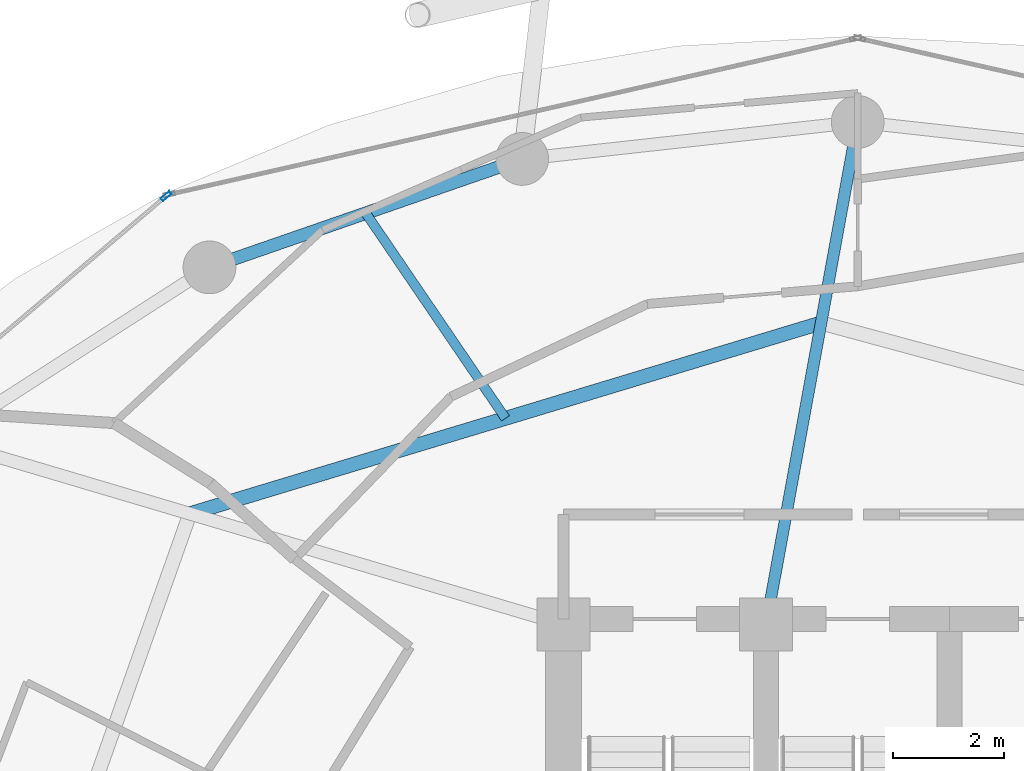
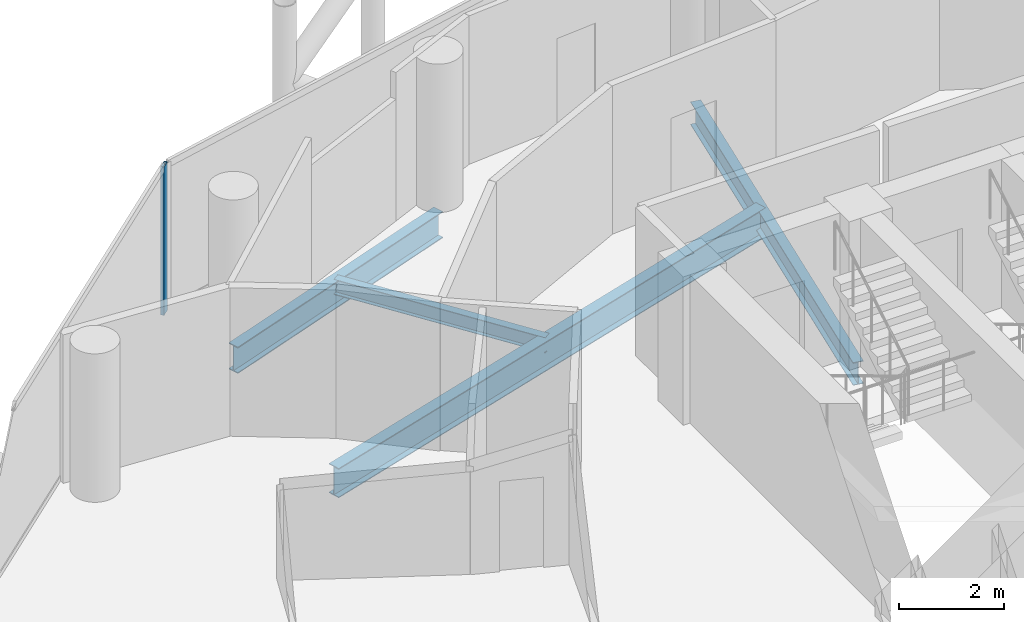
# One storey, part 15 of 26: 4 beams, 1 member, 1 element without a shape of its own.
"""IFC4 building model written with IfcOpenShell, lengths in metres."""

from ifc_helpers import new_model, si_unit, direction, frame, origin, origin_2d, place, context, subcontext, project, spatial, hollow_rectangle, i_section, extrude, material, layer, layer_set, material_profile, profile_set, type_object, element, aggregate, save


model = new_model("IFC4")

# Units and contexts
model_context = context("Model", 3, precision=1e-05, world=origin(), true_north=direction((0.0, 1.0)))
body_context = subcontext(model_context, "Body", "Model", "MODEL_VIEW")
ifc_project = project(units=[si_unit("LENGTHUNIT", "METRE"), si_unit("AREAUNIT", "SQUARE_METRE"), si_unit("VOLUMEUNIT", "CUBIC_METRE"), si_unit("PLANEANGLEUNIT", "RADIAN"), si_unit("MASSUNIT", "GRAM", prefix="KILO")], contexts=[model_context])

# Site, building, storey
site_placement = place(None, origin())
site = spatial("IfcSite", under=ifc_project, at=site_placement, CompositionType="ELEMENT")
building_placement = place(site_placement, origin())
building = spatial("IfcBuilding", under=site, at=building_placement, Name="Nuhasar Tower", CompositionType="ELEMENT")
storey_placement = place(building_placement, frame((0.0, 0.0, 166.35009765625)))
storey = spatial("IfcBuildingStorey", under=building, at=storey_placement, Name="L40", CompositionType="ELEMENT", Elevation=166.35009765625)

# Beams
ifc_material_1 = material(Name="Steel S355", Category="steel")
ifc_material_profile_1 = material_profile(ifc_material_1, i_section(OverallWidth=0.25390625, OverallDepth=0.68408203125, WebThickness=0.012451171875, FlangeThickness=0.018798828125, at=origin_2d()), Name="W27X94")
ifc_profile_set_1 = profile_set([ifc_material_profile_1], Name="Steel S355")
beam_type_1 = type_object("IfcBeamType", Name="BM-INRING-W27X94", PredefinedType="BEAM", material=ifc_profile_set_1)
beam_1_placement = place(storey_placement, frame((38.340087890625, 42.72998046875, -0.592041015625), z_axis=(-0.95722440557, -0.289346569673, 0.0), x_axis=(0.289346569673, -0.95722440557, 0.0)))
element("IfcBeam", 1, at=beam_1_placement, inside=storey, type_object=beam_type_1, Name="L40 Inner Header Beam 06", PredefinedType="BEAM", context=body_context, shape_type="SweptSolid", body=[
    extrude(i_section(OverallWidth=0.25390625, OverallDepth=0.68408203125, WebThickness=0.012451171875, FlangeThickness=0.018798828125, at=origin_2d()), origin(), (0.0, 0.0, 1.0), 11.875244140625),
])
ifc_material_profile_2 = material_profile(ifc_material_1, i_section(OverallWidth=0.1708984375, OverallDepth=0.35205078125, WebThickness=0.0068359375, FlangeThickness=0.009765625, at=origin_2d()), Name="W14X30")
ifc_profile_set_2 = profile_set([ifc_material_profile_2], Name="Steel S355")
beam_type_2 = type_object("IfcBeamType", Name="BM-JST-W14X30", PredefinedType="JOIST", material=ifc_profile_set_2)
beam_2_placement = place(storey_placement, frame((32.656982421875, 41.011962890625, -0.426025390625), z_axis=(-0.562802886474, 0.826591138941, 0.0), x_axis=(-0.826591138941, -0.562802886474, 0.0)))
element("IfcBeam", 2, at=beam_2_placement, inside=storey, type_object=beam_type_2, Name="L40 Secondary Floor Joist 06", PredefinedType="JOIST", context=body_context, shape_type="SweptSolid", body=[
    extrude(i_section(OverallWidth=0.1708984375, OverallDepth=0.35205078125, WebThickness=0.0068359375, FlangeThickness=0.009765625, at=origin_2d()), origin(), (0.0, 0.0, 1.0), 4.47021484375),
])
ifc_material_profile_3 = material_profile(ifc_material_1, i_section(OverallWidth=0.208984375, OverallDepth=0.532958984375, WebThickness=0.01025390625, FlangeThickness=0.015625, at=origin_2d()), Name="W21X62")
ifc_profile_set_3 = profile_set([ifc_material_profile_3], Name="Steel S355")
beam_type_3 = type_object("IfcBeamType", Name="BM-RAD-W21X62", PredefinedType="BEAM", material=ifc_profile_set_3)
beam_3_placement = place(storey_placement, frame((37.35009765625, 37.300048828125, -0.51708984375), z_axis=(0.179352509513, 0.983784873502, 0.0), x_axis=(-0.983784873502, 0.179352509513, 0.0)))
element("IfcBeam", 3, at=beam_3_placement, inside=storey, type_object=beam_type_3, Name="L40 Radial Floor Girder 06", PredefinedType="BEAM", context=body_context, shape_type="SweptSolid", body=[
    extrude(i_section(OverallWidth=0.208984375, OverallDepth=0.532958984375, WebThickness=0.01025390625, FlangeThickness=0.015625, at=origin_2d()), origin(), (0.0, 0.0, 1.0), 9.19921875),
])
ifc_material_profile_4 = material_profile(ifc_material_1, i_section(OverallWidth=0.22998046875, OverallDepth=0.616943359375, WebThickness=0.01318359375, FlangeThickness=0.022216796875, at=origin_2d()), Name="W24X94")
ifc_profile_set_4 = profile_set([ifc_material_profile_4], Name="Steel S355")
beam_type_4 = type_object("IfcBeamType", Name="BM-RING-W24X94", PredefinedType="SPANDREL", material=ifc_profile_set_4)
beam_4_placement = place(storey_placement, frame((32.95703125, 45.68408203125, -0.55908203125), z_axis=(-0.944801380051, -0.327643636066, 0.0), x_axis=(0.327643636066, -0.944801380051, 0.0)))
element("IfcBeam", 4, at=beam_4_placement, inside=storey, type_object=beam_type_4, Name="L40 Perimeter Ring Spandrel 08", PredefinedType="SPANDREL", context=body_context, shape_type="SweptSolid", body=[
    extrude(i_section(OverallWidth=0.22998046875, OverallDepth=0.616943359375, WebThickness=0.01318359375, FlangeThickness=0.022216796875, at=origin_2d()), origin(), (0.0, 0.0, 1.0), 5.961181640625),
])

# Curtain wall, member
ifc_material_2 = material(Name="Aluminium 6063-T6", Category="aluminium")
ifc_layer = layer(ifc_material_2, 0.199951171875)
ifc_layer_set = layer_set([ifc_layer], Name="Aluminium 6063-T6")
curtain_wall_type = type_object("IfcCurtainWallType", Name="CW-Z2-HTL", PredefinedType="NOTDEFINED", material=ifc_layer_set)
curtain_wall_placement = place(storey_placement, origin())
curtain_wall = element("IfcCurtainWall", 5, at=curtain_wall_placement, inside=storey, type_object=curtain_wall_type, Name="L40 Unitised Curtain Wall 05", PredefinedType="NOTDEFINED")
ifc_material_profile_5 = material_profile(ifc_material_2, hollow_rectangle(XDim=0.070068359375, YDim=0.199951171875, WallThickness=0.0048828125, at=origin_2d()), Name="CWM-3")
ifc_profile_set_5 = profile_set([ifc_material_profile_5], Name="Aluminium 6063-T6")
member_type = type_object("IfcMemberType", Name="CW-MUL-S3", PredefinedType="MULLION", material=ifc_profile_set_5)
member_placement = place(storey_placement, frame((26.543212890625, 45.015380859375, 0.0), z_axis=(0.0, 0.0, 1.0), x_axis=(0.646374438324, -0.763020370292, 0.0)))
member = element("IfcMember", 6, at=member_placement, type_object=member_type, Name="CW-Z2 mullion 1", PredefinedType="MULLION", context=body_context, shape_type="SweptSolid", body=[
    extrude(hollow_rectangle(XDim=0.070068359375, YDim=0.199951171875, WallThickness=0.0048828125, at=origin_2d()), origin(), (0.0, 0.0, 1.0), 3.449951171875),
])
aggregate(curtain_wall, [member])

save(model, "model.ifc")
